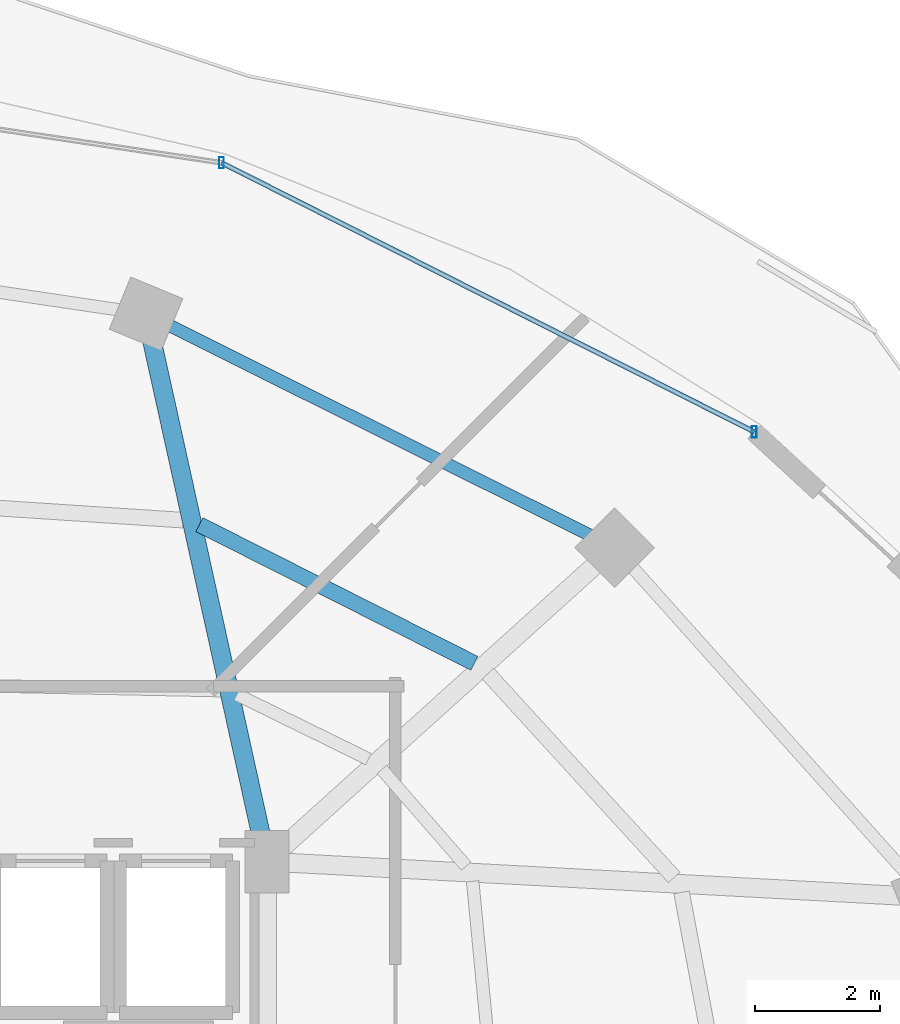
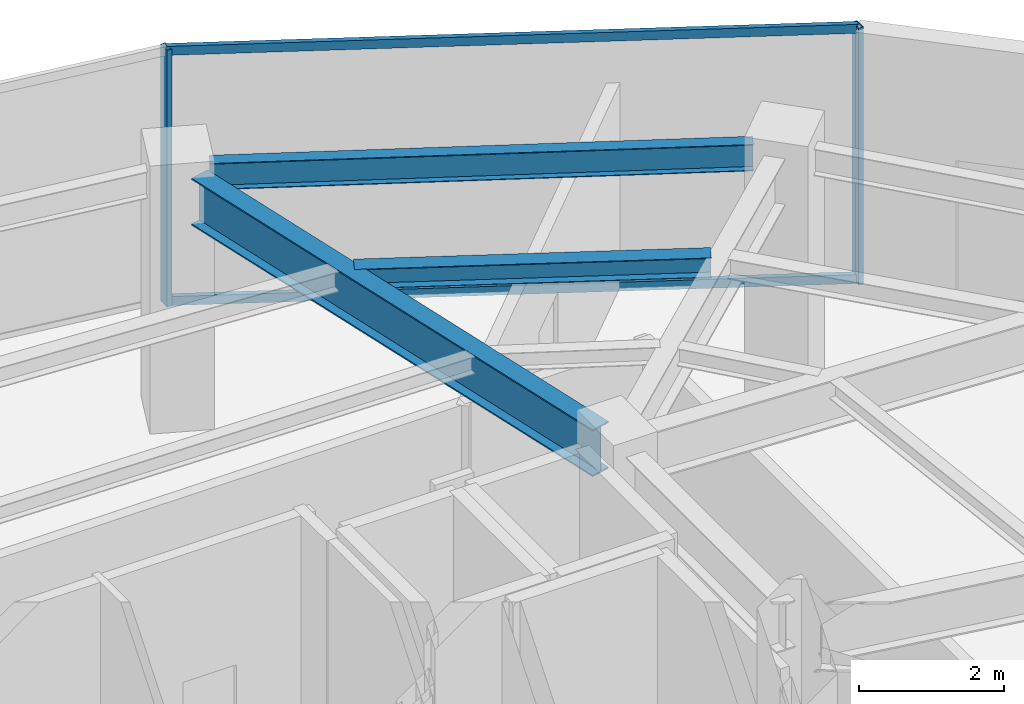
# One storey, part 19 of 27: 4 members, 3 beams, 1 element without a shape of its own.
"""IFC4 building model written with IfcOpenShell, lengths in metres."""

from ifc_helpers import new_model, si_unit, direction, frame, origin, origin_2d, place, context, subcontext, project, spatial, hollow_rectangle, i_section, extrude, material, material_profile, profile_set, type_object, element, aggregate, save


model = new_model("IFC4")

# Units and contexts
model_context = context("Model", 3, precision=1e-05, world=origin(), true_north=direction((0.0, 1.0)))
body_context = subcontext(model_context, "Body", "Model", "MODEL_VIEW")
ifc_project = project(units=[si_unit("LENGTHUNIT", "METRE"), si_unit("AREAUNIT", "SQUARE_METRE"), si_unit("VOLUMEUNIT", "CUBIC_METRE"), si_unit("PLANEANGLEUNIT", "RADIAN"), si_unit("MASSUNIT", "GRAM", prefix="KILO")], contexts=[model_context])

# Site, building, storey
site_placement = place(None, origin())
site = spatial("IfcSite", under=ifc_project, at=site_placement, CompositionType="ELEMENT")
building_placement = place(site_placement, origin())
building = spatial("IfcBuilding", under=site, at=building_placement, Name="Vorneva Point Tower", CompositionType="ELEMENT")
storey_placement = place(building_placement, frame((0.0, 0.0, 229.75)))
storey = spatial("IfcBuildingStorey", under=building, at=storey_placement, Name="L62", CompositionType="ELEMENT", Elevation=229.75)

# Beams
ifc_material_1 = material(Name="Steel S355", Category="steel")
ifc_material_profile_1 = material_profile(ifc_material_1, i_section(OverallWidth=0.300048828125, OverallDepth=0.7880859375, WebThickness=0.014404296875, FlangeThickness=0.02197265625, at=origin_2d()), Name="80Sh1")
ifc_profile_set_1 = profile_set([ifc_material_profile_1], Name="Steel S355")
beam_type_1 = type_object("IfcBeamType", Name="BM-GRD-80Sh1", PredefinedType="USERDEFINED", material=ifc_profile_set_1)
beam_1_placement = place(storey_placement, frame((46.915283203125, 41.462890625, 3.845947265625), z_axis=(0.215522758292, -0.976498817541, 0.0), x_axis=(0.976498817541, 0.215522758292, 0.0)))
element("IfcBeam", 1, at=beam_1_placement, inside=storey, type_object=beam_type_1, Name="L62 Radial Primary Girder 04", ObjectType="GIRDER", PredefinedType="USERDEFINED", context=body_context, shape_type="SweptSolid", body=[
    extrude(i_section(OverallWidth=0.300048828125, OverallDepth=0.7880859375, WebThickness=0.014404296875, FlangeThickness=0.02197265625, at=origin_2d()), origin(), (0.0, 0.0, 1.0), 8.173095703125),
])
ifc_material_profile_2 = material_profile(ifc_material_1, i_section(OverallWidth=0.2490234375, OverallDepth=0.333984375, WebThickness=0.008056640625, FlangeThickness=0.010986328125, at=origin_2d()), Name="35Sh1")
ifc_profile_set_2 = profile_set([ifc_material_profile_2], Name="Steel S355")
beam_type_2 = type_object("IfcBeamType", Name="BM-SEC-35Sh1", PredefinedType="BEAM", material=ifc_profile_set_2)
beam_2_placement = place(storey_placement, frame((52.060791015625, 36.314208984375, 4.072998046875), z_axis=(-0.89285196268, 0.450350277827, 0.0), x_axis=(-0.450350277827, -0.89285196268, 0.0)))
element("IfcBeam", 2, at=beam_2_placement, inside=storey, type_object=beam_type_2, Name="L62 Secondary Floor Beam 1.03", PredefinedType="BEAM", context=body_context, shape_type="SweptSolid", body=[
    extrude(i_section(OverallWidth=0.2490234375, OverallDepth=0.333984375, WebThickness=0.008056640625, FlangeThickness=0.010986328125, at=origin_2d()), origin(), (0.0, 0.0, 1.0), 4.914794921875),
])
ifc_material_profile_3 = material_profile(ifc_material_1, i_section(OverallWidth=0.198974609375, OverallDepth=0.446044921875, WebThickness=0.008056640625, FlangeThickness=0.011962890625, at=origin_2d()), Name="45B1")
ifc_profile_set_3 = profile_set([ifc_material_profile_3], Name="Steel S355")
beam_type_3 = type_object("IfcBeamType", Name="BM-SPN-45B1", PredefinedType="SPANDREL", material=ifc_profile_set_3)
beam_3_placement = place(storey_placement, frame((53.909423828125, 38.356201171875, 4.01708984375), z_axis=(-0.894922371084, 0.446221861559, 0.0), x_axis=(-0.446221861559, -0.894922371084, 0.0)))
element("IfcBeam", 3, at=beam_3_placement, inside=storey, type_object=beam_type_3, Name="L62 Perimeter Spandrel Ring Beam 03", PredefinedType="SPANDREL", context=body_context, shape_type="SweptSolid", body=[
    extrude(i_section(OverallWidth=0.198974609375, OverallDepth=0.446044921875, WebThickness=0.008056640625, FlangeThickness=0.011962890625, at=origin_2d()), origin(), (0.0, 0.0, 1.0), 7.48583984375),
])

# Curtain wall, members
ifc_material_2 = material(Name="Pale anodised aluminium", Category="aluminium")
curtain_wall_type = type_object("IfcCurtainWallType", Name="CW-SKY-SYS", PredefinedType="NOTDEFINED", material=ifc_material_2)
curtain_wall_placement = place(storey_placement, origin())
curtain_wall = element("IfcCurtainWall", 4, at=curtain_wall_placement, inside=storey, type_object=curtain_wall_type, Name="L62 Unitised Curtain Wall CW-L62-R02", PredefinedType="NOTDEFINED")
ifc_material_profile_4 = material_profile(ifc_material_2, hollow_rectangle(XDim=0.074951171875, YDim=0.179931640625, WallThickness=0.00390625, at=origin_2d()), Name="AL-MUL 180x75x4")
ifc_profile_set_4 = profile_set([ifc_material_profile_4], Name="Pale anodised aluminium")
member_type_1 = type_object("IfcMemberType", Name="CW-MUL-180", PredefinedType="MULLION", material=ifc_profile_set_4)
member_1_placement = place(storey_placement, frame((56.526123046875, 40.0078125, -0.0400390625), z_axis=(0.0, 0.0, 1.0), x_axis=(1.0, 0.0, 0.0)))
member_1 = element("IfcMember", 5, at=member_1_placement, type_object=member_type_1, Name="CW-L62-R02 Mullion 01", PredefinedType="MULLION", context=body_context, shape_type="SweptSolid", body=[
    extrude(hollow_rectangle(XDim=0.074951171875, YDim=0.179931640625, WallThickness=0.00390625, at=origin_2d()), origin(), (0.0, 0.0, 1.0), 4.31005859375),
])
member_2_placement = place(storey_placement, frame((48.0263671875, 44.302001953125, -0.0400390625), z_axis=(0.0, 0.0, 1.0), x_axis=(1.0, 0.0, 0.0)))
member_2 = element("IfcMember", 6, at=member_2_placement, type_object=member_type_1, Name="CW-L62-R02 Mullion 02", PredefinedType="MULLION", context=body_context, shape_type="SweptSolid", body=[
    extrude(hollow_rectangle(XDim=0.074951171875, YDim=0.179931640625, WallThickness=0.00390625, at=origin_2d()), origin(), (0.0, 0.0, 1.0), 4.31005859375),
])
ifc_material_profile_5 = material_profile(ifc_material_2, hollow_rectangle(XDim=0.074951171875, YDim=0.14990234375, WallThickness=0.00390625, at=origin_2d()), Name="AL-TRN 150x75x4")
ifc_profile_set_5 = profile_set([ifc_material_profile_5], Name="Pale anodised aluminium")
member_type_2 = type_object("IfcMemberType", Name="CW-TRN-150", PredefinedType="USERDEFINED", material=ifc_profile_set_5)
member_3_placement = place(storey_placement, frame((56.526123046875, 40.0078125, 0.02001953125), z_axis=(-0.892558185815, 0.450932239848, 0.0), x_axis=(-0.450932239848, -0.892558185815, 0.0)))
member_3 = element("IfcMember", 7, at=member_3_placement, type_object=member_type_2, Name="CW-L62-R02 Transom 01.1", ObjectType="TRANSOM", PredefinedType="USERDEFINED", context=body_context, shape_type="SweptSolid", body=[
    extrude(hollow_rectangle(XDim=0.074951171875, YDim=0.14990234375, WallThickness=0.00390625, at=origin_2d()), origin(), (0.0, 0.0, 1.0), 9.52294921875),
])
member_4_placement = place(storey_placement, frame((56.526123046875, 40.0078125, 4.219970703125), z_axis=(-0.892558185815, 0.450932239848, 0.0), x_axis=(-0.450932239848, -0.892558185815, 0.0)))
member_4 = element("IfcMember", 8, at=member_4_placement, type_object=member_type_2, Name="CW-L62-R02 Transom 01.2", ObjectType="TRANSOM", PredefinedType="USERDEFINED", context=body_context, shape_type="SweptSolid", body=[
    extrude(hollow_rectangle(XDim=0.074951171875, YDim=0.14990234375, WallThickness=0.00390625, at=origin_2d()), origin(), (0.0, 0.0, 1.0), 9.52294921875),
])
aggregate(curtain_wall, [member_1, member_2, member_3, member_4])

save(model, "model.ifc")
